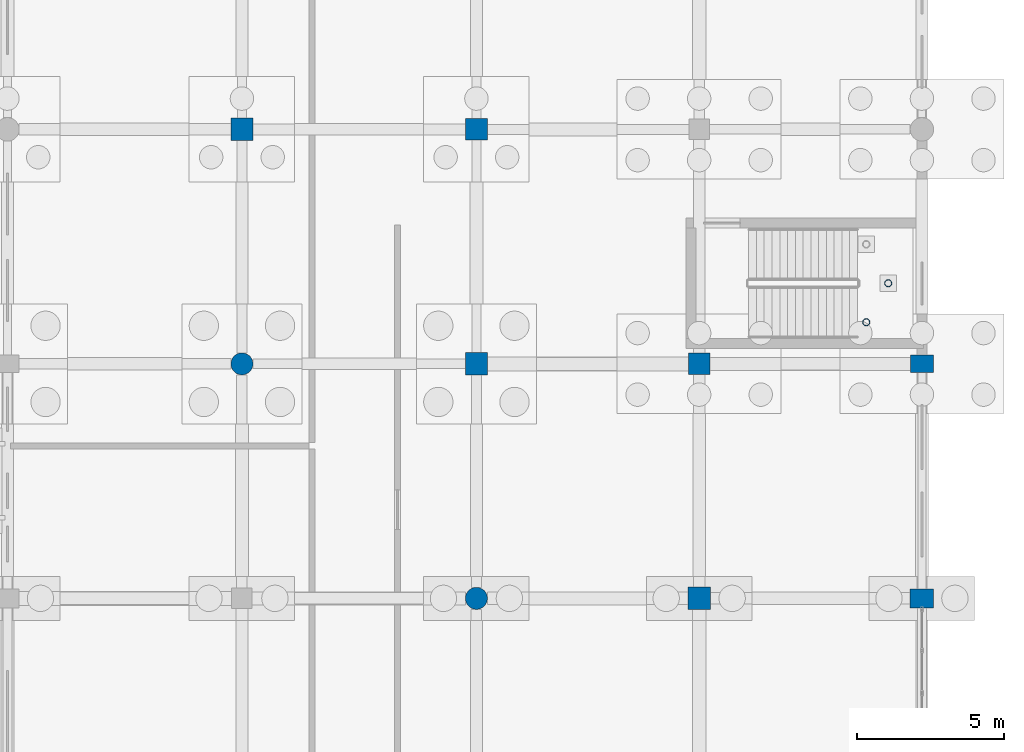
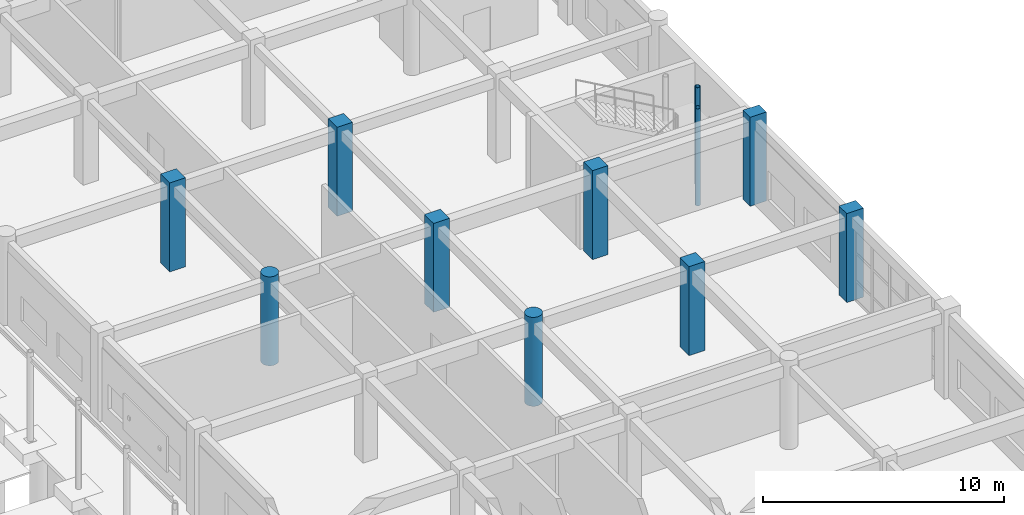
# One storey, part 45 of 166: 11 columns.
"""IFC4 building model written with IfcOpenShell, lengths in metres."""

from ifc_helpers import new_model, si_unit, direction, frame, origin, origin_2d, place, context, subcontext, project, spatial, rectangle, circle, hollow_circle, extrude, material, material_profile, profile_set, type_object, element, save


model = new_model("IFC4")

# Units and contexts
model_context = context("Model", 3, precision=1e-05, world=origin(), true_north=direction((0.0, 1.0)))
body_context = subcontext(model_context, "Body", "Model", "MODEL_VIEW")
ifc_project = project(units=[si_unit("LENGTHUNIT", "METRE"), si_unit("AREAUNIT", "SQUARE_METRE"), si_unit("VOLUMEUNIT", "CUBIC_METRE"), si_unit("PLANEANGLEUNIT", "RADIAN"), si_unit("MASSUNIT", "GRAM", prefix="KILO")], contexts=[model_context])

# Site, building, storey
site_placement = place(None, origin())
site = spatial("IfcSite", under=ifc_project, at=site_placement, CompositionType="ELEMENT")
building_placement = place(site_placement, origin())
building = spatial("IfcBuilding", under=site, at=building_placement, Name="Kharva Crest Polytechnic", CompositionType="ELEMENT")
storey_placement = place(building_placement, origin())
storey = spatial("IfcBuildingStorey", under=building, at=storey_placement, Name="L00", CompositionType="ELEMENT", Elevation=0.0)

# Columns
ifc_material_1 = material(Name="Concrete C40/50", Category="concrete")
ifc_material_profile_1 = material_profile(ifc_material_1, rectangle(XDim=0.780029296875, YDim=0.60009765625, at=origin_2d()), Name="RECT 780 X 600")
ifc_profile_set_1 = profile_set([ifc_material_profile_1], Name="Concrete C40/50")
column_type_1 = type_object("IfcColumnType", Name="COL-EXT-780X600", PredefinedType="COLUMN", material=ifc_profile_set_1)
column_1_placement = place(storey_placement, frame((184.0, 70.800048828125, 0.0), z_axis=(0.0, 0.0, 1.0), x_axis=(1.0, 0.0, 0.0)))
element("IfcColumn", 1, at=column_1_placement, inside=storey, type_object=column_type_1, Name="L00 Column 24/K", PredefinedType="COLUMN", context=body_context, shape_type="SweptSolid", body=[
    extrude(rectangle(XDim=0.780029296875, YDim=0.60009765625, at=origin_2d()), origin(), (0.0, 0.0, 1.0), 4.5),
])
ifc_material_profile_2 = material_profile(ifc_material_1, rectangle(XDim=0.800048828125, YDim=0.64990234375, at=origin_2d()), Name="RECT 800 X 650")
ifc_profile_set_2 = profile_set([ifc_material_profile_2], Name="Concrete C40/50")
column_type_2 = type_object("IfcColumnType", Name="COL-EXT-800X650", PredefinedType="COLUMN", material=ifc_profile_set_2)
column_2_placement = place(storey_placement, frame((184.0, 62.800048828125, 0.0), z_axis=(0.0, 0.0, 1.0), x_axis=(1.0, 0.0, 0.0)))
element("IfcColumn", 2, at=column_2_placement, inside=storey, type_object=column_type_2, Name="L00 Column 24/J", PredefinedType="COLUMN", context=body_context, shape_type="SweptSolid", body=[
    extrude(rectangle(XDim=0.800048828125, YDim=0.64990234375, at=origin_2d()), origin(), (0.0, 0.0, 1.0), 4.5),
])
ifc_material_profile_3 = material_profile(ifc_material_1, rectangle(XDim=0.739990234375, YDim=0.739990234375, at=origin_2d()), Name="RECT 740 X 740")
ifc_profile_set_3 = profile_set([ifc_material_profile_3], Name="Concrete C40/50")
column_type_3 = type_object("IfcColumnType", Name="COL-INT-740X740", PredefinedType="COLUMN", material=ifc_profile_set_3)
for number, where, z_axis, x_axis, name in (
    (3, (168.800048828125, 78.800048828125, 0.0), (0.0, 0.0, 1.0), (1.0, 0.0, 0.0), "L00 Column 22/L"),
    (4, (176.39990234375, 70.800048828125, 0.0), (0.0, 0.0, 1.0), (1.0, 0.0, 0.0), "L00 Column 23/K"),
):
    element("IfcColumn", number, at=place(storey_placement, frame(where, z_axis=z_axis, x_axis=x_axis)), inside=storey, type_object=column_type_3, Name=name, PredefinedType="COLUMN", context=body_context, shape_type="SweptSolid", body=[
        extrude(rectangle(XDim=0.739990234375, YDim=0.739990234375, at=origin_2d()), origin(), (0.0, 0.0, 1.0), 4.5),
    ])
ifc_material_profile_4 = material_profile(ifc_material_1, rectangle(XDim=0.760009765625, YDim=0.760009765625, at=origin_2d()), Name="RECT 760 X 760")
ifc_profile_set_4 = profile_set([ifc_material_profile_4], Name="Concrete C40/50")
column_type_4 = type_object("IfcColumnType", Name="COL-INT-760X760", PredefinedType="COLUMN", material=ifc_profile_set_4)
for number, where, z_axis, x_axis, name in (
    (5, (160.800048828125, 78.800048828125, 0.0), (0.0, 0.0, 1.0), (1.0, 0.0, 0.0), "L00 Column 21/L"),
    (6, (168.800048828125, 70.800048828125, 0.0), (0.0, 0.0, 1.0), (1.0, 0.0, 0.0), "L00 Column 22/K"),
    (7, (176.39990234375, 62.800048828125, 0.0), (0.0, 0.0, 1.0), (1.0, 0.0, 0.0), "L00 Column 23/J"),
):
    element("IfcColumn", number, at=place(storey_placement, frame(where, z_axis=z_axis, x_axis=x_axis)), inside=storey, type_object=column_type_4, Name=name, PredefinedType="COLUMN", context=body_context, shape_type="SweptSolid", body=[
        extrude(rectangle(XDim=0.760009765625, YDim=0.760009765625, at=origin_2d()), origin(), (0.0, 0.0, 1.0), 4.5),
    ])
ifc_material_profile_5 = material_profile(ifc_material_1, circle(Radius=0.375, at=origin_2d()), Name="DIA 750")
ifc_profile_set_5 = profile_set([ifc_material_profile_5], Name="Concrete C40/50")
column_type_5 = type_object("IfcColumnType", Name="COL-INT-DIA750", PredefinedType="COLUMN", material=ifc_profile_set_5)
for number, where, z_axis, x_axis, name in (
    (8, (160.800048828125, 70.800048828125, 0.0), (0.0, 0.0, 1.0), (1.0, 0.0, 0.0), "L00 Column 21/K"),
    (9, (168.800048828125, 62.800048828125, 0.0), (0.0, 0.0, 1.0), (1.0, 0.0, 0.0), "L00 Column 22/J"),
):
    element("IfcColumn", number, at=place(storey_placement, frame(where, z_axis=z_axis, x_axis=x_axis)), inside=storey, type_object=column_type_5, Name=name, PredefinedType="COLUMN", context=body_context, shape_type="SweptSolid", body=[
        extrude(circle(Radius=0.375, at=origin_2d()), origin(), (0.0, 0.0, 1.0), 4.5),
    ])
ifc_material_2 = material(Name="Steel S355", Category="steel")
ifc_material_profile_6 = material_profile(ifc_material_2, hollow_circle(Radius=0.122314453125, WallThickness=0.010009765625, at=origin_2d()), Name="CHS 244.5X10.0")
ifc_profile_set_6 = profile_set([ifc_material_profile_6], Name="Steel S355")
column_type_6 = type_object("IfcColumnType", Name="COL-STL-CHS244", PredefinedType="COLUMN", material=ifc_profile_set_6)
for number, where, z_axis, x_axis, name in (
    (10, (182.10009765625, 72.219970703125, -0.405029296875), (0.0, 0.0, 1.0), (1.0, 0.0, 0.0), "L00 Stair ST-05 Landing Support Column SW"),
    (11, (182.85009765625, 73.550048828125, -0.405029296875), (0.0, 0.0, 1.0), (1.0, 0.0, 0.0), "L00 Stair ST-05 Landing Support Column EM"),
):
    element("IfcColumn", number, at=place(storey_placement, frame(where, z_axis=z_axis, x_axis=x_axis)), inside=storey, type_object=column_type_6, Name=name, PredefinedType="COLUMN", context=body_context, shape_type="SweptSolid", body=[
        extrude(hollow_circle(Radius=0.122314453125, WallThickness=0.010009765625, at=origin_2d()), origin(), (0.0, 0.0, 1.0), 4.905029296875),
    ])

save(model, "model.ifc")
